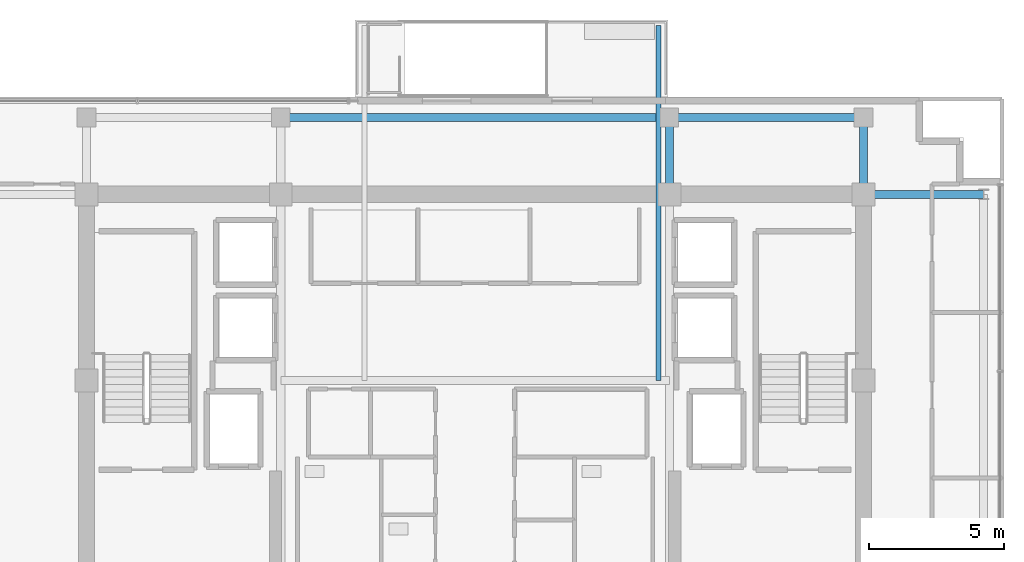
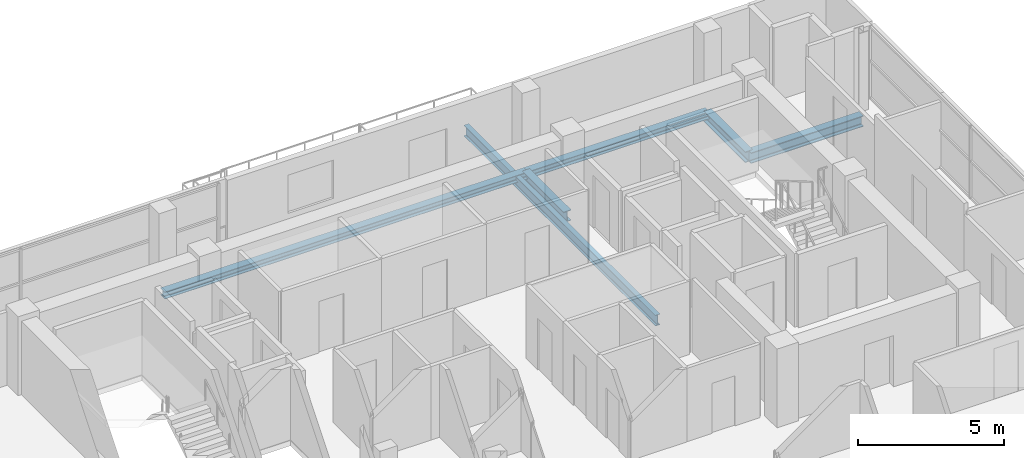
# One storey, part 13 of 24: 6 beams.
"""IFC4 building model written with IfcOpenShell, lengths in metres."""

from ifc_helpers import new_model, si_unit, direction, frame, origin, origin_2d, place, context, subcontext, project, spatial, i_section, extrude, material, material_profile, profile_set, type_object, element, save


model = new_model("IFC4")

# Units and contexts
model_context = context("Model", 3, precision=1e-05, world=origin(), true_north=direction((0.0, 1.0)))
body_context = subcontext(model_context, "Body", "Model", "MODEL_VIEW")
ifc_project = project(units=[si_unit("LENGTHUNIT", "METRE"), si_unit("AREAUNIT", "SQUARE_METRE"), si_unit("VOLUMEUNIT", "CUBIC_METRE"), si_unit("PLANEANGLEUNIT", "RADIAN"), si_unit("MASSUNIT", "GRAM", prefix="KILO")], contexts=[model_context])

# Site, building, storey
site_placement = place(None, origin())
site = spatial("IfcSite", under=ifc_project, at=site_placement, CompositionType="ELEMENT")
building_placement = place(site_placement, origin())
building = spatial("IfcBuilding", under=site, at=building_placement, Name="Zarnakvel Exchange Tower", CompositionType="ELEMENT")
storey_placement = place(building_placement, frame((0.0, 0.0, 208.89990234375)))
storey = spatial("IfcBuildingStorey", under=building, at=storey_placement, Name="L58", CompositionType="ELEMENT", Elevation=208.89990234375)

# Beams
ifc_material = material(Name="Steel S355", Category="steel")
ifc_material_profile_1 = material_profile(ifc_material, i_section(OverallWidth=0.18994140625, OverallDepth=0.449951171875, WebThickness=0.009521484375, FlangeThickness=0.0146484375, FilletRadius=0.02099609375, at=origin_2d()))
ifc_profile_set_1 = profile_set([ifc_material_profile_1], Name="Steel S355")
beam_type_1 = type_object("IfcBeamType", Name="B-05", PredefinedType="JOIST", material=ifc_profile_set_1)
beam_1_placement = place(storey_placement, frame((6.800048828125, 6.60009765625, -0.474853515625), z_axis=(0.0, 1.0, 0.0), x_axis=(-1.0, 0.0, 0.0)))
element("IfcBeam", 1, at=beam_1_placement, inside=storey, type_object=beam_type_1, Name="L58 Continuous North Spiral Terrace Beam E", PredefinedType="JOIST", context=body_context, shape_type="SweptSolid", body=[
    extrude(i_section(OverallWidth=0.18994140625, OverallDepth=0.449951171875, WebThickness=0.009521484375, FlangeThickness=0.0146484375, FilletRadius=0.02099609375, at=origin_2d()), origin(), (0.0, 0.0, 1.0), 13.159912109375),
])
ifc_material_profile_2 = material_profile(ifc_material, i_section(OverallWidth=0.300048828125, OverallDepth=0.449951171875, WebThickness=0.013916015625, FlangeThickness=0.02587890625, FilletRadius=0.027099609375, at=origin_2d()))
ifc_profile_set_2 = profile_set([ifc_material_profile_2], Name="Steel S355")
beam_type_2 = type_object("IfcBeamType", Name="G-07", PredefinedType="BEAM", material=ifc_profile_set_2)
beam_2_placement = place(storey_placement, frame((14.39990234375, 13.5, -0.449951171875), z_axis=(1.0, 0.0, 0.0), x_axis=(0.0, 1.0, 0.0)))
element("IfcBeam", 2, at=beam_2_placement, inside=storey, type_object=beam_type_2, Name="L58 Tower E-W Frame Beam", PredefinedType="BEAM", context=body_context, shape_type="SweptSolid", body=[
    extrude(i_section(OverallWidth=0.300048828125, OverallDepth=0.449951171875, WebThickness=0.013916015625, FlangeThickness=0.02587890625, FilletRadius=0.027099609375, at=origin_2d()), origin(), (0.0, 0.0, 1.0), 4.4501953125),
])
for number, where, z_axis, x_axis, name in (
    (3, (7.199951171875, 13.5, -0.449951171875), (0.0, 1.0, 0.0), (-1.0, 0.0, 0.0), "L58 Tower N-S Frame Beam"),
    (4, (14.39990234375, 13.5, -0.449951171875), (0.0, 1.0, 0.0), (-1.0, 0.0, 0.0), "L58 Tower N-S Frame Beam"),
):
    element("IfcBeam", number, at=place(storey_placement, frame(where, z_axis=z_axis, x_axis=x_axis)), inside=storey, type_object=beam_type_2, Name=name, PredefinedType="BEAM", context=body_context, shape_type="SweptSolid", body=[
        extrude(i_section(OverallWidth=0.300048828125, OverallDepth=0.449951171875, WebThickness=0.013916015625, FlangeThickness=0.02587890625, FilletRadius=0.027099609375, at=origin_2d()), origin(), (0.0, 0.0, 1.0), 2.85009765625),
    ])
ifc_material_profile_3 = material_profile(ifc_material, i_section(OverallWidth=0.300048828125, OverallDepth=0.300048828125, WebThickness=0.010986328125, FlangeThickness=0.01904296875, FilletRadius=0.027099609375, at=origin_2d()))
ifc_profile_set_3 = profile_set([ifc_material_profile_3], Name="Steel S355")
beam_type_3 = type_object("IfcBeamType", Name="SP-03", PredefinedType="SPANDREL", material=ifc_profile_set_3)
beam_3_placement = place(storey_placement, frame((-7.199951171875, 16.35009765625, -0.375), z_axis=(1.0, 0.0, 0.0), x_axis=(0.0, 1.0, 0.0)))
element("IfcBeam", 5, at=beam_3_placement, inside=storey, type_object=beam_type_3, Name="L58 Tower E-W Frame Beam", PredefinedType="SPANDREL", context=body_context, shape_type="SweptSolid", body=[
    extrude(i_section(OverallWidth=0.300048828125, OverallDepth=0.300048828125, WebThickness=0.010986328125, FlangeThickness=0.01904296875, FilletRadius=0.027099609375, at=origin_2d()), origin(), (0.0, 0.0, 1.0), 14.39990234375),
])
beam_4_placement = place(storey_placement, frame((7.199951171875, 16.35009765625, -0.375), z_axis=(1.0, 0.0, 0.0), x_axis=(0.0, 1.0, 0.0)))
element("IfcBeam", 6, at=beam_4_placement, inside=storey, type_object=beam_type_3, Name="L58 Tower E-W Frame Beam", PredefinedType="SPANDREL", context=body_context, shape_type="SweptSolid", body=[
    extrude(i_section(OverallWidth=0.300048828125, OverallDepth=0.300048828125, WebThickness=0.010986328125, FlangeThickness=0.01904296875, FilletRadius=0.027099609375, at=origin_2d()), origin(), (0.0, 0.0, 1.0), 7.199951171875),
])

save(model, "model.ifc")
